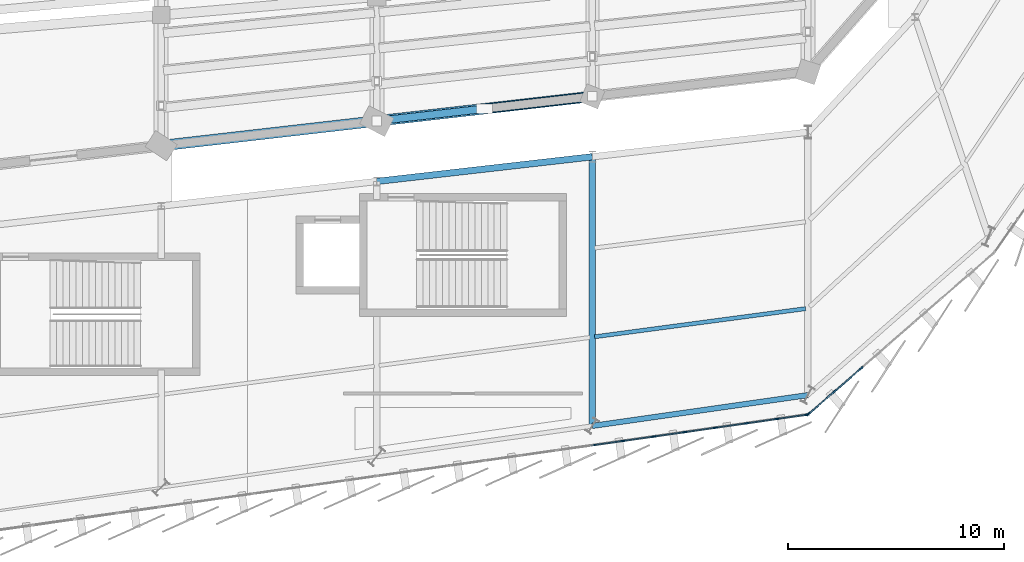
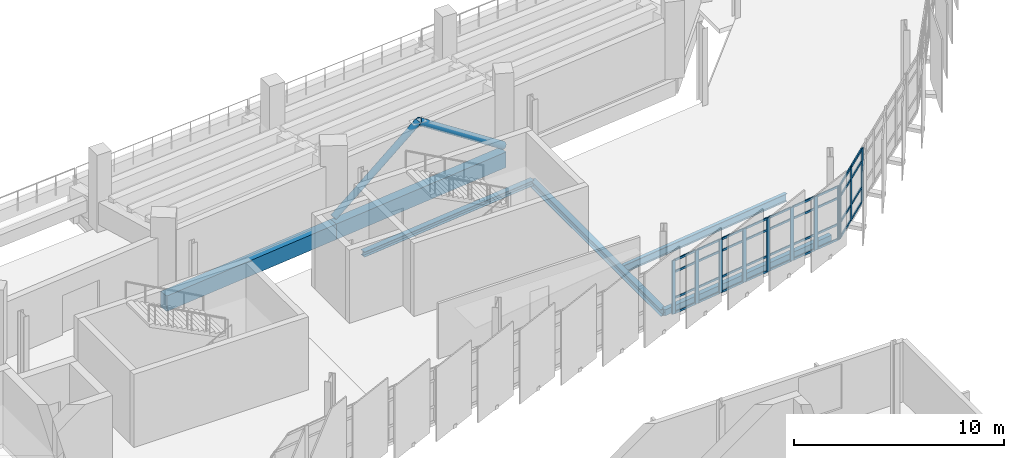
# One storey, part 58 of 120: 49 members, 6 beams, 2 elements without a shape of their own.
"""IFC4 building model written with IfcOpenShell, lengths in metres."""

from ifc_helpers import new_model, si_unit, direction, frame, origin, origin_2d, place, context, subcontext, project, spatial, rectangle, hollow_rectangle, hollow_circle, i_section, extrude, material, layer, layer_set, material_profile, profile_set, type_object, element, aggregate, save


model = new_model("IFC4")

# Units and contexts
model_context = context("Model", 3, precision=1e-05, world=origin(), true_north=direction((0.0, 1.0)))
body_context = subcontext(model_context, "Body", "Model", "MODEL_VIEW")
ifc_project = project(units=[si_unit("LENGTHUNIT", "METRE"), si_unit("AREAUNIT", "SQUARE_METRE"), si_unit("VOLUMEUNIT", "CUBIC_METRE"), si_unit("PLANEANGLEUNIT", "RADIAN"), si_unit("MASSUNIT", "GRAM", prefix="KILO")], contexts=[model_context])

# Site, building, storey
site_placement = place(None, origin())
site = spatial("IfcSite", under=ifc_project, at=site_placement, CompositionType="ELEMENT")
building_placement = place(site_placement, origin())
building = spatial("IfcBuilding", under=site, at=building_placement, Name="Sohan Crest Arena", CompositionType="ELEMENT")
storey_placement = place(building_placement, frame((0.0, 0.0, 13.5)))
storey = spatial("IfcBuildingStorey", under=building, at=storey_placement, Name="L03", CompositionType="ELEMENT", Elevation=13.5)

# Curtain wall, members
ifc_material_1 = material(Name="Thermally broken anodised aluminium", Category="aluminium")
ifc_layer_1 = layer(ifc_material_1, 0.179931640625, Name="Thermally broken anodised aluminium")
ifc_layer_set_1 = layer_set([ifc_layer_1], Name="Thermally broken anodised aluminium")
curtain_wall_type_1 = type_object("IfcCurtainWallType", Name="ARC-CW01", PredefinedType="NOTDEFINED", material=ifc_layer_set_1)
curtain_wall_1_placement = place(storey_placement, origin())
curtain_wall_1 = element("IfcCurtainWall", 1, at=curtain_wall_1_placement, inside=storey, type_object=curtain_wall_type_1, Name="Unitised curtain wall CW-096", PredefinedType="NOTDEFINED")
ifc_material_profile_1 = material_profile(ifc_material_1, rectangle(XDim=0.070068359375, YDim=0.199951171875, at=origin_2d()), Name="ALU-MULL 70x200")
ifc_profile_set_1 = profile_set([ifc_material_profile_1], Name="Thermally broken anodised aluminium")
member_type_1 = type_object("IfcMemberType", Name="ARC-CW-ML03", PredefinedType="MULLION", material=ifc_profile_set_1)
member_1_placement = place(storey_placement, frame((158.03466796875, 37.676025390625, 0.0), z_axis=(0.0, 0.0, 1.0), x_axis=(-0.141462933734, 0.989943553128, 0.0)))
member_1 = element("IfcMember", 2, at=member_1_placement, type_object=member_type_1, Name="CW-096 mullion 1", PredefinedType="MULLION", context=body_context, shape_type="SweptSolid", body=[
    extrude(rectangle(XDim=0.070068359375, YDim=0.199951171875, at=origin_2d()), origin(), (0.0, 0.0, 1.0), 3.1201171875),
])
member_2_placement = place(storey_placement, frame((159.428466796875, 37.875244140625, 0.0), z_axis=(0.0, 0.0, 1.0), x_axis=(-0.141462933734, 0.989943553128, 0.0)))
member_2 = element("IfcMember", 3, at=member_2_placement, type_object=member_type_1, Name="CW-096 mullion 2", PredefinedType="MULLION", context=body_context, shape_type="SweptSolid", body=[
    extrude(rectangle(XDim=0.070068359375, YDim=0.199951171875, at=origin_2d()), origin(), (0.0, 0.0, 1.0), 3.1201171875),
])
member_3_placement = place(storey_placement, frame((160.857177734375, 38.079345703125, 0.0), z_axis=(0.0, 0.0, 1.0), x_axis=(-0.141462933734, 0.989943553128, 0.0)))
member_3 = element("IfcMember", 4, at=member_3_placement, type_object=member_type_1, Name="CW-096 mullion 3", PredefinedType="MULLION", context=body_context, shape_type="SweptSolid", body=[
    extrude(rectangle(XDim=0.070068359375, YDim=0.199951171875, at=origin_2d()), origin(), (0.0, 0.0, 1.0), 3.1201171875),
])
member_4_placement = place(storey_placement, frame((162.28564453125, 38.283447265625, 0.0), z_axis=(0.0, 0.0, 1.0), x_axis=(-0.141462933734, 0.989943553128, 0.0)))
member_4 = element("IfcMember", 5, at=member_4_placement, type_object=member_type_1, Name="CW-096 mullion 4", PredefinedType="MULLION", context=body_context, shape_type="SweptSolid", body=[
    extrude(rectangle(XDim=0.070068359375, YDim=0.199951171875, at=origin_2d()), origin(), (0.0, 0.0, 1.0), 3.1201171875),
])
member_5_placement = place(storey_placement, frame((163.71435546875, 38.487548828125, 0.0), z_axis=(0.0, 0.0, 1.0), x_axis=(-0.141462933734, 0.989943553128, 0.0)))
member_5 = element("IfcMember", 6, at=member_5_placement, type_object=member_type_1, Name="CW-096 mullion 5", PredefinedType="MULLION", context=body_context, shape_type="SweptSolid", body=[
    extrude(rectangle(XDim=0.070068359375, YDim=0.199951171875, at=origin_2d()), origin(), (0.0, 0.0, 1.0), 3.1201171875),
])
member_6_placement = place(storey_placement, frame((165.142822265625, 38.691650390625, 0.0), z_axis=(0.0, 0.0, 1.0), x_axis=(-0.141462933734, 0.989943553128, 0.0)))
member_6 = element("IfcMember", 7, at=member_6_placement, type_object=member_type_1, Name="CW-096 mullion 6", PredefinedType="MULLION", context=body_context, shape_type="SweptSolid", body=[
    extrude(rectangle(XDim=0.070068359375, YDim=0.199951171875, at=origin_2d()), origin(), (0.0, 0.0, 1.0), 3.1201171875),
])
member_7_placement = place(storey_placement, frame((166.571533203125, 38.895751953125, 0.0), z_axis=(0.0, 0.0, 1.0), x_axis=(-0.141462933734, 0.989943553128, 0.0)))
member_7 = element("IfcMember", 8, at=member_7_placement, type_object=member_type_1, Name="CW-096 mullion 7", PredefinedType="MULLION", context=body_context, shape_type="SweptSolid", body=[
    extrude(rectangle(XDim=0.070068359375, YDim=0.199951171875, at=origin_2d()), origin(), (0.0, 0.0, 1.0), 3.1201171875),
])
member_8_placement = place(storey_placement, frame((167.96533203125, 39.094970703125, 0.0), z_axis=(0.0, 0.0, 1.0), x_axis=(-0.141462933734, 0.989943553128, 0.0)))
member_8 = element("IfcMember", 9, at=member_8_placement, type_object=member_type_1, Name="CW-096 mullion 8", PredefinedType="MULLION", context=body_context, shape_type="SweptSolid", body=[
    extrude(rectangle(XDim=0.070068359375, YDim=0.199951171875, at=origin_2d()), origin(), (0.0, 0.0, 1.0), 3.1201171875),
])

ifc_layer_2 = layer(ifc_material_1, 0.199951171875, Name="Thermally broken anodised aluminium")
ifc_layer_set_2 = layer_set([ifc_layer_2], Name="Thermally broken anodised aluminium")
curtain_wall_type_2 = type_object("IfcCurtainWallType", Name="ARC-CW02", PredefinedType="NOTDEFINED", material=ifc_layer_set_2)
curtain_wall_2_placement = place(storey_placement, origin())
curtain_wall_2 = element("IfcCurtainWall", 10, at=curtain_wall_2_placement, inside=storey, type_object=curtain_wall_type_2, Name="Unitised curtain wall CW-097", PredefinedType="NOTDEFINED")
ifc_material_profile_2 = material_profile(ifc_material_1, rectangle(XDim=0.074951171875, YDim=0.219970703125, at=origin_2d()), Name="ALU-MULL 75x220")
ifc_profile_set_2 = profile_set([ifc_material_profile_2], Name="Thermally broken anodised aluminium")
member_type_2 = type_object("IfcMemberType", Name="ARC-CW-ML04", PredefinedType="MULLION", material=ifc_profile_set_2)
member_9_placement = place(storey_placement, frame((168.0283203125, 39.12451171875, 0.0), z_axis=(0.0, 0.0, 1.0), x_axis=(-0.655615836736, 0.755094613026, 0.0)))
member_9 = element("IfcMember", 11, at=member_9_placement, type_object=member_type_2, Name="CW-097 mullion 1", PredefinedType="MULLION", context=body_context, shape_type="SweptSolid", body=[
    extrude(rectangle(XDim=0.074951171875, YDim=0.219970703125, at=origin_2d()), origin(), (0.0, 0.0, 1.0), 3.1201171875),
])
member_10_placement = place(storey_placement, frame((169.23388671875, 40.17138671875, 0.0), z_axis=(0.0, 0.0, 1.0), x_axis=(-0.655615836736, 0.755094613026, 0.0)))
member_10 = element("IfcMember", 12, at=member_10_placement, type_object=member_type_2, Name="CW-097 mullion 2", PredefinedType="MULLION", context=body_context, shape_type="SweptSolid", body=[
    extrude(rectangle(XDim=0.074951171875, YDim=0.219970703125, at=origin_2d()), origin(), (0.0, 0.0, 1.0), 3.1201171875),
])
member_11_placement = place(storey_placement, frame((170.468017578125, 41.242919921875, 0.0), z_axis=(0.0, 0.0, 1.0), x_axis=(-0.655615836736, 0.755094613026, 0.0)))
member_11 = element("IfcMember", 13, at=member_11_placement, type_object=member_type_2, Name="CW-097 mullion 3", PredefinedType="MULLION", context=body_context, shape_type="SweptSolid", body=[
    extrude(rectangle(XDim=0.074951171875, YDim=0.219970703125, at=origin_2d()), origin(), (0.0, 0.0, 1.0), 3.1201171875),
])

# Member
ifc_material_profile_3 = material_profile(ifc_material_1, rectangle(XDim=0.06005859375, YDim=0.1201171875, at=origin_2d()), Name="ALU-TRAN 60x120")
ifc_profile_set_3 = profile_set([ifc_material_profile_3], Name="Thermally broken anodised aluminium")
member_type_3 = type_object("IfcMemberType", Name="ARC-CW-TR01", PredefinedType="USERDEFINED", material=ifc_profile_set_3)
member_12_placement = place(storey_placement, frame((158.0693359375, 37.680908203125, 0.030029296875), z_axis=(0.989953142256, 0.141395813721, 0.0), x_axis=(-0.141395813721, 0.989953142256, 0.0)))
member_12 = element("IfcMember", 14, at=member_12_placement, type_object=member_type_3, Name="CW-096 transom 1.1", ObjectType="TRANSOM", PredefinedType="USERDEFINED", context=body_context, shape_type="SweptSolid", body=[
    extrude(rectangle(XDim=0.06005859375, YDim=0.1201171875, at=origin_2d()), origin(), (0.0, 0.0, 1.0), 1.338134765625),
])

member_13_placement = place(storey_placement, frame((158.0693359375, 37.680908203125, 0.89990234375), z_axis=(0.989953142256, 0.141395813721, 0.0), x_axis=(-0.141395813721, 0.989953142256, 0.0)))
member_13 = element("IfcMember", 15, at=member_13_placement, type_object=member_type_3, Name="CW-096 transom 1.2", ObjectType="TRANSOM", PredefinedType="USERDEFINED", context=body_context, shape_type="SweptSolid", body=[
    extrude(rectangle(XDim=0.06005859375, YDim=0.1201171875, at=origin_2d()), origin(), (0.0, 0.0, 1.0), 1.338134765625),
])

member_14_placement = place(storey_placement, frame((158.0693359375, 37.680908203125, 2.419921875), z_axis=(0.989953142256, 0.141395813721, 0.0), x_axis=(-0.141395813721, 0.989953142256, 0.0)))
member_14 = element("IfcMember", 16, at=member_14_placement, type_object=member_type_3, Name="CW-096 transom 1.3", ObjectType="TRANSOM", PredefinedType="USERDEFINED", context=body_context, shape_type="SweptSolid", body=[
    extrude(rectangle(XDim=0.06005859375, YDim=0.1201171875, at=origin_2d()), origin(), (0.0, 0.0, 1.0), 1.338134765625),
])

member_15_placement = place(storey_placement, frame((158.0693359375, 37.680908203125, 3.090087890625), z_axis=(0.989953142256, 0.141395813721, 0.0), x_axis=(-0.141395813721, 0.989953142256, 0.0)))
member_15 = element("IfcMember", 17, at=member_15_placement, type_object=member_type_3, Name="CW-096 transom 1.4", ObjectType="TRANSOM", PredefinedType="USERDEFINED", context=body_context, shape_type="SweptSolid", body=[
    extrude(rectangle(XDim=0.06005859375, YDim=0.1201171875, at=origin_2d()), origin(), (0.0, 0.0, 1.0), 1.338134765625),
])

member_16_placement = place(storey_placement, frame((159.463134765625, 37.880126953125, 0.030029296875), z_axis=(0.989960158519, 0.141346682116, 0.0), x_axis=(-0.141346682116, 0.989960158519, 0.0)))
member_16 = element("IfcMember", 18, at=member_16_placement, type_object=member_type_3, Name="CW-096 transom 2.1", ObjectType="TRANSOM", PredefinedType="USERDEFINED", context=body_context, shape_type="SweptSolid", body=[
    extrude(rectangle(XDim=0.06005859375, YDim=0.1201171875, at=origin_2d()), origin(), (0.0, 0.0, 1.0), 1.373046875),
])

member_17_placement = place(storey_placement, frame((159.463134765625, 37.880126953125, 0.89990234375), z_axis=(0.989960158519, 0.141346682116, 0.0), x_axis=(-0.141346682116, 0.989960158519, 0.0)))
member_17 = element("IfcMember", 19, at=member_17_placement, type_object=member_type_3, Name="CW-096 transom 2.2", ObjectType="TRANSOM", PredefinedType="USERDEFINED", context=body_context, shape_type="SweptSolid", body=[
    extrude(rectangle(XDim=0.06005859375, YDim=0.1201171875, at=origin_2d()), origin(), (0.0, 0.0, 1.0), 1.373046875),
])

member_18_placement = place(storey_placement, frame((159.463134765625, 37.880126953125, 2.419921875), z_axis=(0.989960158519, 0.141346682116, 0.0), x_axis=(-0.141346682116, 0.989960158519, 0.0)))
member_18 = element("IfcMember", 20, at=member_18_placement, type_object=member_type_3, Name="CW-096 transom 2.3", ObjectType="TRANSOM", PredefinedType="USERDEFINED", context=body_context, shape_type="SweptSolid", body=[
    extrude(rectangle(XDim=0.06005859375, YDim=0.1201171875, at=origin_2d()), origin(), (0.0, 0.0, 1.0), 1.373046875),
])

member_19_placement = place(storey_placement, frame((159.463134765625, 37.880126953125, 3.090087890625), z_axis=(0.989960158519, 0.141346682116, 0.0), x_axis=(-0.141346682116, 0.989960158519, 0.0)))
member_19 = element("IfcMember", 21, at=member_19_placement, type_object=member_type_3, Name="CW-096 transom 2.4", ObjectType="TRANSOM", PredefinedType="USERDEFINED", context=body_context, shape_type="SweptSolid", body=[
    extrude(rectangle(XDim=0.06005859375, YDim=0.1201171875, at=origin_2d()), origin(), (0.0, 0.0, 1.0), 1.373046875),
])

member_20_placement = place(storey_placement, frame((160.891845703125, 38.084228515625, 0.030029296875), z_axis=(0.989931703696, 0.141545830096, 0.0), x_axis=(-0.141545830096, 0.989931703696, 0.0)))
member_20 = element("IfcMember", 22, at=member_20_placement, type_object=member_type_3, Name="CW-096 transom 3.1", ObjectType="TRANSOM", PredefinedType="USERDEFINED", context=body_context, shape_type="SweptSolid", body=[
    extrude(rectangle(XDim=0.06005859375, YDim=0.1201171875, at=origin_2d()), origin(), (0.0, 0.0, 1.0), 1.373046875),
])

member_21_placement = place(storey_placement, frame((160.891845703125, 38.084228515625, 0.89990234375), z_axis=(0.989931703696, 0.141545830096, 0.0), x_axis=(-0.141545830096, 0.989931703696, 0.0)))
member_21 = element("IfcMember", 23, at=member_21_placement, type_object=member_type_3, Name="CW-096 transom 3.2", ObjectType="TRANSOM", PredefinedType="USERDEFINED", context=body_context, shape_type="SweptSolid", body=[
    extrude(rectangle(XDim=0.06005859375, YDim=0.1201171875, at=origin_2d()), origin(), (0.0, 0.0, 1.0), 1.373046875),
])

member_22_placement = place(storey_placement, frame((160.891845703125, 38.084228515625, 2.419921875), z_axis=(0.989931703696, 0.141545830096, 0.0), x_axis=(-0.141545830096, 0.989931703696, 0.0)))
member_22 = element("IfcMember", 24, at=member_22_placement, type_object=member_type_3, Name="CW-096 transom 3.3", ObjectType="TRANSOM", PredefinedType="USERDEFINED", context=body_context, shape_type="SweptSolid", body=[
    extrude(rectangle(XDim=0.06005859375, YDim=0.1201171875, at=origin_2d()), origin(), (0.0, 0.0, 1.0), 1.373046875),
])

member_23_placement = place(storey_placement, frame((160.891845703125, 38.084228515625, 3.090087890625), z_axis=(0.989931703696, 0.141545830096, 0.0), x_axis=(-0.141545830096, 0.989931703696, 0.0)))
member_23 = element("IfcMember", 25, at=member_23_placement, type_object=member_type_3, Name="CW-096 transom 3.4", ObjectType="TRANSOM", PredefinedType="USERDEFINED", context=body_context, shape_type="SweptSolid", body=[
    extrude(rectangle(XDim=0.06005859375, YDim=0.1201171875, at=origin_2d()), origin(), (0.0, 0.0, 1.0), 1.373046875),
])

member_24_placement = place(storey_placement, frame((162.3203125, 38.288330078125, 0.030029296875), z_axis=(0.989935265447, 0.141520917977, 0.0), x_axis=(-0.141520917977, 0.989935265447, 0.0)))
member_24 = element("IfcMember", 26, at=member_24_placement, type_object=member_type_3, Name="CW-096 transom 4.1", ObjectType="TRANSOM", PredefinedType="USERDEFINED", context=body_context, shape_type="SweptSolid", body=[
    extrude(rectangle(XDim=0.06005859375, YDim=0.1201171875, at=origin_2d()), origin(), (0.0, 0.0, 1.0), 1.373291015625),
])

member_25_placement = place(storey_placement, frame((162.3203125, 38.288330078125, 0.89990234375), z_axis=(0.989935265447, 0.141520917977, 0.0), x_axis=(-0.141520917977, 0.989935265447, 0.0)))
member_25 = element("IfcMember", 27, at=member_25_placement, type_object=member_type_3, Name="CW-096 transom 4.2", ObjectType="TRANSOM", PredefinedType="USERDEFINED", context=body_context, shape_type="SweptSolid", body=[
    extrude(rectangle(XDim=0.06005859375, YDim=0.1201171875, at=origin_2d()), origin(), (0.0, 0.0, 1.0), 1.373291015625),
])

member_26_placement = place(storey_placement, frame((162.3203125, 38.288330078125, 2.419921875), z_axis=(0.989935265447, 0.141520917977, 0.0), x_axis=(-0.141520917977, 0.989935265447, 0.0)))
member_26 = element("IfcMember", 28, at=member_26_placement, type_object=member_type_3, Name="CW-096 transom 4.3", ObjectType="TRANSOM", PredefinedType="USERDEFINED", context=body_context, shape_type="SweptSolid", body=[
    extrude(rectangle(XDim=0.06005859375, YDim=0.1201171875, at=origin_2d()), origin(), (0.0, 0.0, 1.0), 1.373291015625),
])

member_27_placement = place(storey_placement, frame((162.3203125, 38.288330078125, 3.090087890625), z_axis=(0.989935265447, 0.141520917977, 0.0), x_axis=(-0.141520917977, 0.989935265447, 0.0)))
member_27 = element("IfcMember", 29, at=member_27_placement, type_object=member_type_3, Name="CW-096 transom 4.4", ObjectType="TRANSOM", PredefinedType="USERDEFINED", context=body_context, shape_type="SweptSolid", body=[
    extrude(rectangle(XDim=0.06005859375, YDim=0.1201171875, at=origin_2d()), origin(), (0.0, 0.0, 1.0), 1.373291015625),
])

member_28_placement = place(storey_placement, frame((163.7490234375, 38.492431640625, 0.030029296875), z_axis=(0.989931703696, 0.141545830096, 0.0), x_axis=(-0.141545830096, 0.989931703696, 0.0)))
member_28 = element("IfcMember", 30, at=member_28_placement, type_object=member_type_3, Name="CW-096 transom 5.1", ObjectType="TRANSOM", PredefinedType="USERDEFINED", context=body_context, shape_type="SweptSolid", body=[
    extrude(rectangle(XDim=0.06005859375, YDim=0.1201171875, at=origin_2d()), origin(), (0.0, 0.0, 1.0), 1.373046875),
])

member_29_placement = place(storey_placement, frame((163.7490234375, 38.492431640625, 0.89990234375), z_axis=(0.989931703696, 0.141545830096, 0.0), x_axis=(-0.141545830096, 0.989931703696, 0.0)))
member_29 = element("IfcMember", 31, at=member_29_placement, type_object=member_type_3, Name="CW-096 transom 5.2", ObjectType="TRANSOM", PredefinedType="USERDEFINED", context=body_context, shape_type="SweptSolid", body=[
    extrude(rectangle(XDim=0.06005859375, YDim=0.1201171875, at=origin_2d()), origin(), (0.0, 0.0, 1.0), 1.373046875),
])

member_30_placement = place(storey_placement, frame((163.7490234375, 38.492431640625, 2.419921875), z_axis=(0.989931703696, 0.141545830096, 0.0), x_axis=(-0.141545830096, 0.989931703696, 0.0)))
member_30 = element("IfcMember", 32, at=member_30_placement, type_object=member_type_3, Name="CW-096 transom 5.3", ObjectType="TRANSOM", PredefinedType="USERDEFINED", context=body_context, shape_type="SweptSolid", body=[
    extrude(rectangle(XDim=0.06005859375, YDim=0.1201171875, at=origin_2d()), origin(), (0.0, 0.0, 1.0), 1.373046875),
])

member_31_placement = place(storey_placement, frame((163.7490234375, 38.492431640625, 3.090087890625), z_axis=(0.989931703696, 0.141545830096, 0.0), x_axis=(-0.141545830096, 0.989931703696, 0.0)))
member_31 = element("IfcMember", 33, at=member_31_placement, type_object=member_type_3, Name="CW-096 transom 5.4", ObjectType="TRANSOM", PredefinedType="USERDEFINED", context=body_context, shape_type="SweptSolid", body=[
    extrude(rectangle(XDim=0.06005859375, YDim=0.1201171875, at=origin_2d()), origin(), (0.0, 0.0, 1.0), 1.373046875),
])

member_32_placement = place(storey_placement, frame((165.177490234375, 38.69677734375, 0.030029296875), z_axis=(0.989960158519, 0.141346682116, 0.0), x_axis=(-0.141346682116, 0.989960158519, 0.0)))
member_32 = element("IfcMember", 34, at=member_32_placement, type_object=member_type_3, Name="CW-096 transom 6.1", ObjectType="TRANSOM", PredefinedType="USERDEFINED", context=body_context, shape_type="SweptSolid", body=[
    extrude(rectangle(XDim=0.06005859375, YDim=0.1201171875, at=origin_2d()), origin(), (0.0, 0.0, 1.0), 1.373046875),
])

member_33_placement = place(storey_placement, frame((165.177490234375, 38.69677734375, 0.89990234375), z_axis=(0.989960158519, 0.141346682116, 0.0), x_axis=(-0.141346682116, 0.989960158519, 0.0)))
member_33 = element("IfcMember", 35, at=member_33_placement, type_object=member_type_3, Name="CW-096 transom 6.2", ObjectType="TRANSOM", PredefinedType="USERDEFINED", context=body_context, shape_type="SweptSolid", body=[
    extrude(rectangle(XDim=0.06005859375, YDim=0.1201171875, at=origin_2d()), origin(), (0.0, 0.0, 1.0), 1.373046875),
])

member_34_placement = place(storey_placement, frame((165.177490234375, 38.69677734375, 2.419921875), z_axis=(0.989960158519, 0.141346682116, 0.0), x_axis=(-0.141346682116, 0.989960158519, 0.0)))
member_34 = element("IfcMember", 36, at=member_34_placement, type_object=member_type_3, Name="CW-096 transom 6.3", ObjectType="TRANSOM", PredefinedType="USERDEFINED", context=body_context, shape_type="SweptSolid", body=[
    extrude(rectangle(XDim=0.06005859375, YDim=0.1201171875, at=origin_2d()), origin(), (0.0, 0.0, 1.0), 1.373046875),
])

member_35_placement = place(storey_placement, frame((165.177490234375, 38.69677734375, 3.090087890625), z_axis=(0.989960158519, 0.141346682116, 0.0), x_axis=(-0.141346682116, 0.989960158519, 0.0)))
member_35 = element("IfcMember", 37, at=member_35_placement, type_object=member_type_3, Name="CW-096 transom 6.4", ObjectType="TRANSOM", PredefinedType="USERDEFINED", context=body_context, shape_type="SweptSolid", body=[
    extrude(rectangle(XDim=0.06005859375, YDim=0.1201171875, at=origin_2d()), origin(), (0.0, 0.0, 1.0), 1.373046875),
])

member_36_placement = place(storey_placement, frame((166.60595703125, 38.90087890625, 0.030029296875), z_axis=(0.989953142256, 0.141395813721, 0.0), x_axis=(-0.141395813721, 0.989953142256, 0.0)))
member_36 = element("IfcMember", 38, at=member_36_placement, type_object=member_type_3, Name="CW-096 transom 7.1", ObjectType="TRANSOM", PredefinedType="USERDEFINED", context=body_context, shape_type="SweptSolid", body=[
    extrude(rectangle(XDim=0.06005859375, YDim=0.1201171875, at=origin_2d()), origin(), (0.0, 0.0, 1.0), 1.338134765625),
])

member_37_placement = place(storey_placement, frame((166.60595703125, 38.90087890625, 0.89990234375), z_axis=(0.989953142256, 0.141395813721, 0.0), x_axis=(-0.141395813721, 0.989953142256, 0.0)))
member_37 = element("IfcMember", 39, at=member_37_placement, type_object=member_type_3, Name="CW-096 transom 7.2", ObjectType="TRANSOM", PredefinedType="USERDEFINED", context=body_context, shape_type="SweptSolid", body=[
    extrude(rectangle(XDim=0.06005859375, YDim=0.1201171875, at=origin_2d()), origin(), (0.0, 0.0, 1.0), 1.338134765625),
])

member_38_placement = place(storey_placement, frame((166.60595703125, 38.90087890625, 2.419921875), z_axis=(0.989953142256, 0.141395813721, 0.0), x_axis=(-0.141395813721, 0.989953142256, 0.0)))
member_38 = element("IfcMember", 40, at=member_38_placement, type_object=member_type_3, Name="CW-096 transom 7.3", ObjectType="TRANSOM", PredefinedType="USERDEFINED", context=body_context, shape_type="SweptSolid", body=[
    extrude(rectangle(XDim=0.06005859375, YDim=0.1201171875, at=origin_2d()), origin(), (0.0, 0.0, 1.0), 1.338134765625),
])

member_39_placement = place(storey_placement, frame((166.60595703125, 38.90087890625, 3.090087890625), z_axis=(0.989953142256, 0.141395813721, 0.0), x_axis=(-0.141395813721, 0.989953142256, 0.0)))
member_39 = element("IfcMember", 41, at=member_39_placement, type_object=member_type_3, Name="CW-096 transom 7.4", ObjectType="TRANSOM", PredefinedType="USERDEFINED", context=body_context, shape_type="SweptSolid", body=[
    extrude(rectangle(XDim=0.06005859375, YDim=0.1201171875, at=origin_2d()), origin(), (0.0, 0.0, 1.0), 1.338134765625),
])

aggregate(curtain_wall_1, [member_1, member_2, member_3, member_4, member_5, member_6, member_7, member_8, member_12, member_13, member_14, member_15, member_16, member_17, member_18, member_19, member_20, member_21, member_22, member_23, member_24, member_25, member_26, member_27, member_28, member_29, member_30, member_31, member_32, member_33, member_34, member_35, member_36, member_37, member_38, member_39])

ifc_material_profile_4 = material_profile(ifc_material_1, rectangle(XDim=0.06494140625, YDim=0.139892578125, at=origin_2d()), Name="ALU-TRAN 65x140")
ifc_profile_set_4 = profile_set([ifc_material_profile_4], Name="Thermally broken anodised aluminium")
member_type_4 = type_object("IfcMemberType", Name="ARC-CW-TR02", PredefinedType="USERDEFINED", material=ifc_profile_set_4)
member_40_placement = place(storey_placement, frame((168.056640625, 39.149169921875, 0.032470703125), z_axis=(0.755095826867, 0.655614438712, 0.0), x_axis=(-0.655614438712, 0.755095826867, 0.0)))
member_40 = element("IfcMember", 42, at=member_40_placement, type_object=member_type_4, Name="CW-097 transom 1.1", ObjectType="TRANSOM", PredefinedType="USERDEFINED", context=body_context, shape_type="SweptSolid", body=[
    extrude(rectangle(XDim=0.06494140625, YDim=0.139892578125, at=origin_2d()), origin(), (0.0, 0.0, 1.0), 1.521484375),
])

member_41_placement = place(storey_placement, frame((168.056640625, 39.149169921875, 0.89990234375), z_axis=(0.755095826867, 0.655614438712, 0.0), x_axis=(-0.655614438712, 0.755095826867, 0.0)))
member_41 = element("IfcMember", 43, at=member_41_placement, type_object=member_type_4, Name="CW-097 transom 1.2", ObjectType="TRANSOM", PredefinedType="USERDEFINED", context=body_context, shape_type="SweptSolid", body=[
    extrude(rectangle(XDim=0.06494140625, YDim=0.139892578125, at=origin_2d()), origin(), (0.0, 0.0, 1.0), 1.521484375),
])

member_42_placement = place(storey_placement, frame((168.056640625, 39.149169921875, 2.419921875), z_axis=(0.755095826867, 0.655614438712, 0.0), x_axis=(-0.655614438712, 0.755095826867, 0.0)))
member_42 = element("IfcMember", 44, at=member_42_placement, type_object=member_type_4, Name="CW-097 transom 1.3", ObjectType="TRANSOM", PredefinedType="USERDEFINED", context=body_context, shape_type="SweptSolid", body=[
    extrude(rectangle(XDim=0.06494140625, YDim=0.139892578125, at=origin_2d()), origin(), (0.0, 0.0, 1.0), 1.521484375),
])

member_43_placement = place(storey_placement, frame((168.056640625, 39.149169921875, 3.08740234375), z_axis=(0.755095826867, 0.655614438712, 0.0), x_axis=(-0.655614438712, 0.755095826867, 0.0)))
member_43 = element("IfcMember", 45, at=member_43_placement, type_object=member_type_4, Name="CW-097 transom 1.4", ObjectType="TRANSOM", PredefinedType="USERDEFINED", context=body_context, shape_type="SweptSolid", body=[
    extrude(rectangle(XDim=0.06494140625, YDim=0.139892578125, at=origin_2d()), origin(), (0.0, 0.0, 1.0), 1.521484375),
])

member_44_placement = place(storey_placement, frame((169.26220703125, 40.196044921875, 0.032470703125), z_axis=(0.755141218047, 0.655562156326, 0.0), x_axis=(-0.655562156326, 0.755141218047, 0.0)))
member_44 = element("IfcMember", 46, at=member_44_placement, type_object=member_type_4, Name="CW-097 transom 2.1", ObjectType="TRANSOM", PredefinedType="USERDEFINED", context=body_context, shape_type="SweptSolid", body=[
    extrude(rectangle(XDim=0.06494140625, YDim=0.139892578125, at=origin_2d()), origin(), (0.0, 0.0, 1.0), 1.559326171875),
])

member_45_placement = place(storey_placement, frame((169.26220703125, 40.196044921875, 0.89990234375), z_axis=(0.755141218047, 0.655562156326, 0.0), x_axis=(-0.655562156326, 0.755141218047, 0.0)))
member_45 = element("IfcMember", 47, at=member_45_placement, type_object=member_type_4, Name="CW-097 transom 2.2", ObjectType="TRANSOM", PredefinedType="USERDEFINED", context=body_context, shape_type="SweptSolid", body=[
    extrude(rectangle(XDim=0.06494140625, YDim=0.139892578125, at=origin_2d()), origin(), (0.0, 0.0, 1.0), 1.559326171875),
])

member_46_placement = place(storey_placement, frame((169.26220703125, 40.196044921875, 2.419921875), z_axis=(0.755141218047, 0.655562156326, 0.0), x_axis=(-0.655562156326, 0.755141218047, 0.0)))
member_46 = element("IfcMember", 48, at=member_46_placement, type_object=member_type_4, Name="CW-097 transom 2.3", ObjectType="TRANSOM", PredefinedType="USERDEFINED", context=body_context, shape_type="SweptSolid", body=[
    extrude(rectangle(XDim=0.06494140625, YDim=0.139892578125, at=origin_2d()), origin(), (0.0, 0.0, 1.0), 1.559326171875),
])

member_47_placement = place(storey_placement, frame((169.26220703125, 40.196044921875, 3.08740234375), z_axis=(0.755141218047, 0.655562156326, 0.0), x_axis=(-0.655562156326, 0.755141218047, 0.0)))
member_47 = element("IfcMember", 49, at=member_47_placement, type_object=member_type_4, Name="CW-097 transom 2.4", ObjectType="TRANSOM", PredefinedType="USERDEFINED", context=body_context, shape_type="SweptSolid", body=[
    extrude(rectangle(XDim=0.06494140625, YDim=0.139892578125, at=origin_2d()), origin(), (0.0, 0.0, 1.0), 1.559326171875),
])

aggregate(curtain_wall_2, [member_9, member_10, member_11, member_40, member_41, member_42, member_43, member_44, member_45, member_46, member_47])

# Beams
ifc_material_2 = material(Name="Steel S355", Category="steel")
ifc_material_profile_5 = material_profile(ifc_material_2, i_section(OverallWidth=0.18994140625, OverallDepth=0.449951171875, WebThickness=0.009521484375, FlangeThickness=0.0146484375, at=origin_2d()), Name="IPE 450")
ifc_profile_set_5 = profile_set([ifc_material_profile_5], Name="Steel S355")
beam_type_1 = type_object("IfcBeamType", Name="STR-BM-B04", PredefinedType="JOIST", material=ifc_profile_set_5)
beam_1_placement = place(storey_placement, frame((158.10888671875, 42.7060546875, -0.47509765625), z_axis=(0.991219472477, 0.132226916252, 0.0), x_axis=(-0.132226916252, 0.991219472477, 0.0)))
element("IfcBeam", 50, at=beam_1_placement, inside=storey, type_object=beam_type_1, Name="Structural beam J-L03-1479", PredefinedType="JOIST", context=body_context, shape_type="SweptSolid", body=[
    extrude(i_section(OverallWidth=0.18994140625, OverallDepth=0.449951171875, WebThickness=0.009521484375, FlangeThickness=0.0146484375, at=origin_2d()), origin(), (0.0, 0.0, 1.0), 9.868896484375),
])
ifc_material_profile_6 = material_profile(ifc_material_2, i_section(OverallWidth=0.300048828125, OverallDepth=0.300048828125, WebThickness=0.010986328125, FlangeThickness=0.01904296875, at=origin_2d()), Name="HEB 300")
ifc_profile_set_6 = profile_set([ifc_material_profile_6], Name="Steel S355")
beam_type_2 = type_object("IfcBeamType", Name="STR-BM-B12", PredefinedType="BEAM", material=ifc_profile_set_6)
beam_2_placement = place(storey_placement, frame((148.0, 49.9140625, -0.39990234375), z_axis=(0.993533063564, 0.113543170668, 0.0), x_axis=(-0.113543170668, 0.993533063564, 0.0)))
element("IfcBeam", 51, at=beam_2_placement, inside=storey, type_object=beam_type_2, Name="Structural beam G-L03-1472", PredefinedType="BEAM", context=body_context, shape_type="SweptSolid", body=[
    extrude(i_section(OverallWidth=0.300048828125, OverallDepth=0.300048828125, WebThickness=0.010986328125, FlangeThickness=0.01904296875, at=origin_2d()), origin(), (0.0, 0.0, 1.0), 10.065185546875),
])
ifc_material_profile_7 = material_profile(ifc_material_2, i_section(OverallWidth=0.300048828125, OverallDepth=0.39990234375, WebThickness=0.013427734375, FlangeThickness=0.02392578125, at=origin_2d()), Name="HEB 400")
ifc_profile_set_7 = profile_set([ifc_material_profile_7], Name="Steel S355")
beam_type_3 = type_object("IfcBeamType", Name="STR-BM-B13", PredefinedType="BEAM", material=ifc_profile_set_7)
beam_3_placement = place(storey_placement, frame((158.0, 51.056884765625, -0.449951171875), z_axis=(0.0, -1.0, 0.0), x_axis=(1.0, 0.0, 0.0)))
element("IfcBeam", 52, at=beam_3_placement, inside=storey, type_object=beam_type_3, Name="Structural beam G-L03-1475", PredefinedType="BEAM", context=body_context, shape_type="SweptSolid", body=[
    extrude(i_section(OverallWidth=0.300048828125, OverallDepth=0.39990234375, WebThickness=0.013427734375, FlangeThickness=0.02392578125, at=origin_2d()), origin(), (0.0, 0.0, 1.0), 12.48583984375),
])
ifc_material_profile_8 = material_profile(ifc_material_2, hollow_rectangle(XDim=0.25, YDim=0.35009765625, WallThickness=0.012451171875, at=origin_2d()), Name="RHS 350x250x12.5")
ifc_profile_set_8 = profile_set([ifc_material_profile_8], Name="Steel S355")
beam_type_4 = type_object("IfcBeamType", Name="STR-BM-SP04", PredefinedType="SPANDREL", material=ifc_profile_set_8)
beam_4_placement = place(storey_placement, frame((158.0, 38.571044921875, -0.425048828125), z_axis=(0.989944175879, 0.141458575718, 0.0), x_axis=(-0.141458575718, 0.989944175879, 0.0)))
element("IfcBeam", 53, at=beam_4_placement, inside=storey, type_object=beam_type_4, Name="Structural beam SP-L03-1477", PredefinedType="SPANDREL", context=body_context, shape_type="SweptSolid", body=[
    extrude(hollow_rectangle(XDim=0.25, YDim=0.35009765625, WallThickness=0.012451171875, at=origin_2d()), origin(), (0.0, 0.0, 1.0), 10.1015625),
])
ifc_material_3 = material(Name="Concrete C40/50", Category="concrete")
ifc_material_profile_9 = material_profile(ifc_material_3, rectangle(XDim=0.5, YDim=0.89990234375, at=origin_2d()), Name="RC-BM 500x900")
ifc_profile_set_9 = profile_set([ifc_material_profile_9], Name="Concrete C40/50")
beam_type_5 = type_object("IfcBeamType", Name="STR-BM-TB03", PredefinedType="BEAM", material=ifc_profile_set_9)
for number, where, z_axis, x_axis, name in (
    (54, (138.0, 51.571044921875, -0.699951171875), (0.99353032697, 0.113567114035, 0.0), (-0.113567114035, 0.99353032697, 0.0), "Structural beam TB-L03-0427"),
    (55, (148.0, 52.714111328125, -0.699951171875), (0.993533063564, 0.113543170668, 0.0), (-0.113543170668, 0.993533063564, 0.0), "Structural beam TB-L03-0449"),
):
    element("IfcBeam", number, at=place(storey_placement, frame(where, z_axis=z_axis, x_axis=x_axis)), inside=storey, type_object=beam_type_5, Name=name, PredefinedType="BEAM", context=body_context, shape_type="SweptSolid", body=[
        extrude(rectangle(XDim=0.5, YDim=0.89990234375, at=origin_2d()), origin(), (0.0, 0.0, 1.0), 10.065185546875),
    ])

# Members
ifc_material_profile_10 = material_profile(ifc_material_2, hollow_circle(Radius=0.177734375, WallThickness=0.01611328125, at=origin_2d()), Name="CHS 355.6x16")
ifc_profile_set_10 = profile_set([ifc_material_profile_10], Name="Steel S355")
member_type_5 = type_object("IfcMemberType", Name="STR-MEM-BR04", PredefinedType="BRACE", material=ifc_profile_set_10)
member_48_placement = place(storey_placement, frame((148.0, 52.714111328125, 0.0), z_axis=(0.815672477088, 0.093117297433, 0.570970733961), x_axis=(-0.113423450863, 0.993546738103, 0.0)))
element("IfcMember", 56, at=member_48_placement, inside=storey, type_object=member_type_5, Name="Concentric lateral chevron brace BR-023", PredefinedType="BRACE", context=body_context, shape_type="SweptSolid", body=[
    extrude(hollow_circle(Radius=0.177734375, WallThickness=0.01611328125, at=origin_2d()), origin(), (0.0, 0.0, 1.0), 6.1298828125),
])
ifc_material_profile_11 = material_profile(ifc_material_2, hollow_circle(Radius=0.203125, WallThickness=0.01611328125, at=origin_2d()), Name="CHS 406.4x16")
ifc_profile_set_11 = profile_set([ifc_material_profile_11], Name="Steel S355")
member_type_6 = type_object("IfcMemberType", Name="STR-MEM-BR05", PredefinedType="BRACE", material=ifc_profile_set_11)
member_49_placement = place(storey_placement, frame((158.0, 53.85693359375, 0.0), z_axis=(-0.815657336104, -0.093314704028, 0.570960135273), x_axis=(0.113662885526, -0.993519374977, 0.0)))
element("IfcMember", 57, at=member_49_placement, inside=storey, type_object=member_type_6, Name="Concentric lateral chevron brace BR-024", PredefinedType="BRACE", context=body_context, shape_type="SweptSolid", body=[
    extrude(hollow_circle(Radius=0.203125, WallThickness=0.01611328125, at=origin_2d()), origin(), (0.0, 0.0, 1.0), 6.130126953125),
])

save(model, "model.ifc")
